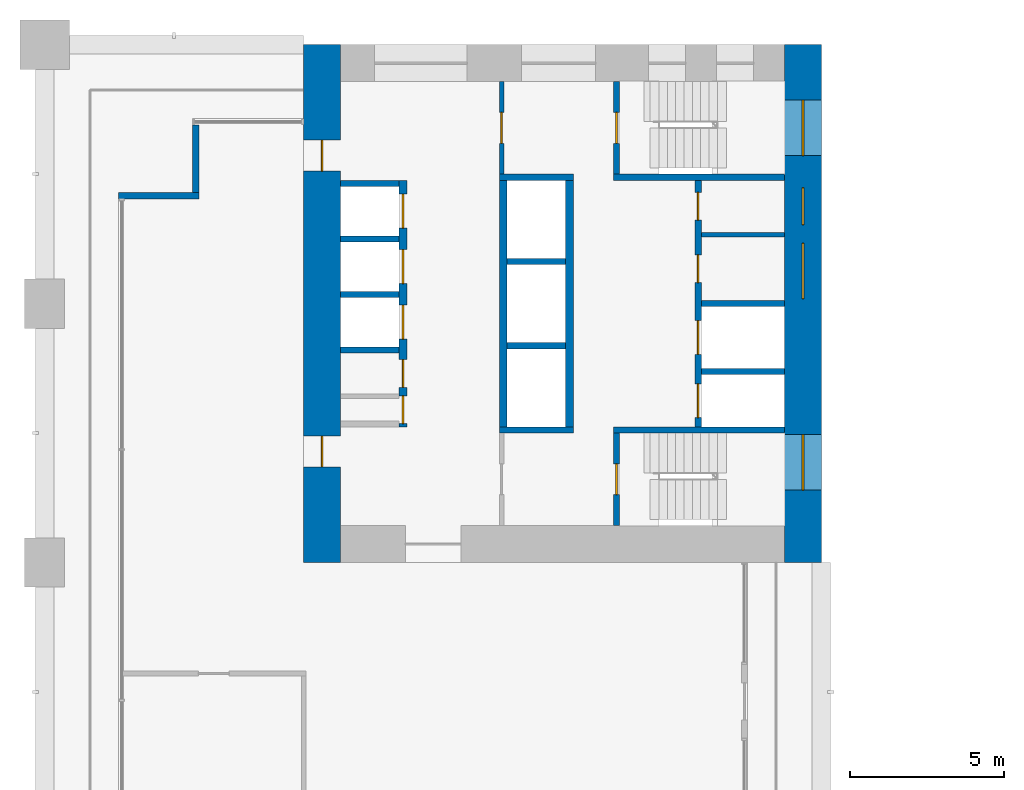
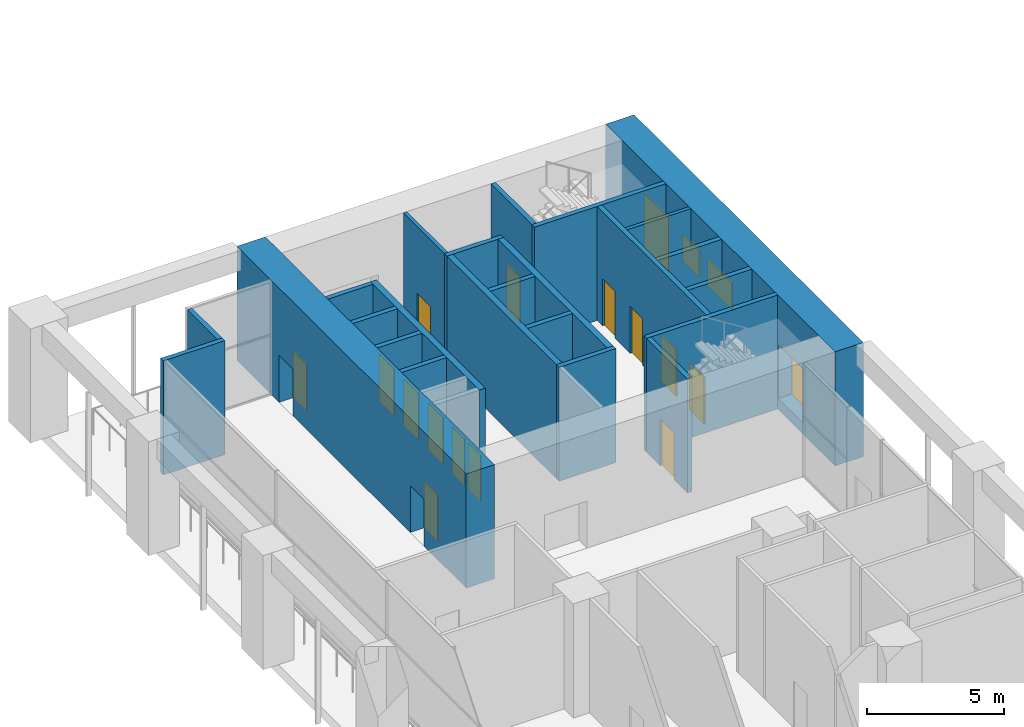
# One storey, part 18 of 33: 24 walls, 14 doors, 4 windows, 18 openings.
"""IFC4 building model written with IfcOpenShell, lengths in metres."""

from ifc_helpers import new_model, si_unit, direction, frame, frame_2d, origin, place, context, subcontext, project, spatial, rectangle, extrude, material, layer, layer_set, type_object, element, fill, save


model = new_model("IFC4")

# Units and contexts
model_context = context("Model", 3, precision=1e-05, world=origin(), true_north=direction((0.0, 1.0)))
body_context = subcontext(model_context, "Body", "Model", "MODEL_VIEW")
ifc_project = project(units=[si_unit("LENGTHUNIT", "METRE"), si_unit("AREAUNIT", "SQUARE_METRE"), si_unit("VOLUMEUNIT", "CUBIC_METRE"), si_unit("PLANEANGLEUNIT", "RADIAN"), si_unit("MASSUNIT", "GRAM", prefix="KILO")], contexts=[model_context])

# Site, building, storey
site_placement = place(None, origin())
site = spatial("IfcSite", under=ifc_project, at=site_placement, CompositionType="ELEMENT")
building_placement = place(site_placement, origin())
building = spatial("IfcBuilding", under=site, at=building_placement, Name="Vermilion Gate Residences", CompositionType="ELEMENT")
storey_placement = place(building_placement, frame((0.0, 0.0, 14.39990234375)))
storey = spatial("IfcBuildingStorey", under=building, at=storey_placement, Name="L02", CompositionType="ELEMENT", Elevation=14.39990234375)

# Wall
ifc_material_1 = material(Name="Masonry blockwork", Category="masonry")
ifc_layer_1 = layer(ifc_material_1, 0.14990234375)
ifc_layer_set_1 = layer_set([ifc_layer_1], Name="BLOCKWORK PARTITION 150 EI 120")
wall_type_1 = type_object("IfcWallType", Name="BLOCKWORK PARTITION 150 EI 120", PredefinedType="PARTITIONING", material=ifc_layer_set_1)
wall_1_placement = place(storey_placement, frame((21.300048828125, 52.637451171875, 0.0), z_axis=(0.0, 0.0, 1.0), x_axis=(1.0, 0.0, 0.0)))
element("IfcWall", 1, at=wall_1_placement, inside=storey, type_object=wall_type_1, Name="Core room partition B02-NR-P0", PredefinedType="PARTITIONING", context=body_context, shape_type="SweptSolid", body=[
    extrude(rectangle(XDim=2.699951171875, YDim=0.14990234375, at=frame_2d((1.35009765625, 0.0))), origin(), (0.0, 0.0, 1.0), 5.10009765625),
])

# Wall, opening, door
wall_2_placement = place(storey_placement, frame((14.824951171875, 57.60009765625, 0.0), z_axis=(0.0, 0.0, 1.0), x_axis=(0.0, -1.0, 0.0)))
wall_2 = element("IfcWall", 2, at=wall_2_placement, inside=storey, type_object=wall_type_1, Name="Core room partition B02-VW-S", PredefinedType="PARTITIONING", context=body_context, shape_type="SweptSolid", body=[
    extrude(rectangle(XDim=3.0, YDim=0.14990234375, at=frame_2d((1.5, 0.0))), origin(), (0.0, 0.0, 1.0), 5.10009765625),
])
opening_1_placement = place(wall_2_placement, frame((1.0, 0.0, 0.0)))
opening_1 = element("IfcOpeningElement", 3, at=opening_1_placement, cuts=wall_2, Name="Opening DK02113", PredefinedType="OPENING", context=body_context, shape_type="SweptSolid", body=[
    extrude(rectangle(XDim=1.0, YDim=2.10009765625, at=frame_2d((0.5, 1.050048828125))), frame((0.0, 0.0849609375, 0.0), z_axis=(0.0, -1.0, 0.0), x_axis=(1.0, 0.0, 0.0)), (0.0, 0.0, 1.0), 0.169921875),
])
ifc_material_2 = material(Name="Steel", Category="steel")
door_type_1 = type_object("IfcDoorType", Name="FIRE DOOR FD60 1000 X 2100", OperationType="SINGLE_SWING_LEFT", PredefinedType="DOOR", material=ifc_material_2)
door_1_placement = place(opening_1_placement, frame((1.0, 0.0, 0.0), z_axis=(0.0, 0.0, 1.0), x_axis=(-1.0, 0.0, 0.0)))
door_1 = element("IfcDoor", 4, at=door_1_placement, inside=storey, type_object=door_type_1, Name="Stair vestibule door B02", OperationType="SINGLE_SWING_RIGHT", OverallHeight=2.10009765625, OverallWidth=1.0, PredefinedType="DOOR", context=body_context, shape_type="SweptSolid", body=[
    extrude(rectangle(XDim=1.0, YDim=2.10009765625, at=frame_2d((0.5, 1.050048828125))), frame((0.0, 0.02490234375, 0.0), z_axis=(0.0, -1.0, 0.0), x_axis=(1.0, 0.0, 0.0)), (0.0, 0.0, 1.0), 0.050048828125),
])
fill(opening_1, door_1)

# Walls
ifc_material_3 = material(Name="Insulated steel stud wall with terracotta rainscreen", Category="masonry")
ifc_layer_2 = layer(ifc_material_3, 0.199951171875)
ifc_layer_set_2 = layer_set([ifc_layer_2], Name="EXTERNAL WALL 200 TERRACOTTA RAINSCREEN")
wall_type_2 = type_object("IfcWallType", Name="EXTERNAL WALL 200 TERRACOTTA RAINSCREEN", PredefinedType="SOLIDWALL", material=ifc_layer_set_2)
wall_3_placement = place(storey_placement, frame((4.89990234375, 56.199951171875, 0.0), z_axis=(0.0, 0.0, 1.0), x_axis=(0.0, -1.0, 0.0)))
element("IfcWall", 5, at=wall_3_placement, inside=storey, type_object=wall_type_2, Name="External wall", PredefinedType="SOLIDWALL", context=body_context, shape_type="SweptSolid", body=[
    extrude(rectangle(XDim=2.199951171875, YDim=0.199951171875, at=frame_2d((1.10009765625, 0.0))), origin(), (0.0, 0.0, 1.0), 5.10009765625),
])
wall_4_placement = place(storey_placement, frame((5.0, 53.89990234375, 0.0), z_axis=(0.0, 0.0, 1.0), x_axis=(-1.0, 0.0, 0.0)))
element("IfcWall", 6, at=wall_4_placement, inside=storey, type_object=wall_type_2, Name="External wall", PredefinedType="SOLIDWALL", context=body_context, shape_type="SweptSolid", body=[
    extrude(rectangle(XDim=2.60009765625, YDim=0.199951171875, at=frame_2d((1.300048828125, 0.0))), origin(), (0.0, 0.0, 1.0), 5.10009765625),
])
ifc_material_4 = material(Name="Concrete C60", Category="concrete")
ifc_layer_3 = layer(ifc_material_4, 0.199951171875)
ifc_layer_set_3 = layer_set([ifc_layer_3], Name="RC CORE INTERNAL WALL 200 C60")
wall_type_3 = type_object("IfcWallType", Name="RC CORE INTERNAL WALL 200 C60", PredefinedType="SHEAR", material=ifc_layer_set_3)
for number, where, z_axis, x_axis, name in (
    (7, (9.60009765625, 54.300048828125, 0.0), (0.0, 0.0, 1.0), (1.0, 0.0, 0.0), "Core internal wall B02-LR-D0"),
    (8, (9.60009765625, 52.5, 0.0), (0.0, 0.0, 1.0), (1.0, 0.0, 0.0), "Core internal wall B02-LR-D1"),
    (9, (9.60009765625, 50.699951171875, 0.0), (0.0, 0.0, 1.0), (1.0, 0.0, 0.0), "Core internal wall B02-LR-D2"),
    (10, (9.60009765625, 48.89990234375, 0.0), (0.0, 0.0, 1.0), (1.0, 0.0, 0.0), "Core internal wall B02-LR-D3"),
    (11, (15.0, 51.7666015625, 0.0), (0.0, 0.0, 1.0), (1.0, 0.0, 0.0), "Core internal wall B02-HR-D1"),
    (12, (15.0, 49.033447265625, 0.0), (0.0, 0.0, 1.0), (1.0, 0.0, 0.0), "Core internal wall B02-HR-D2"),
):
    element("IfcWall", number, at=place(storey_placement, frame(where, z_axis=z_axis, x_axis=x_axis)), inside=storey, type_object=wall_type_3, Name=name, PredefinedType="SHEAR", context=body_context, shape_type="SweptSolid", body=[
        extrude(rectangle(XDim=1.89990234375, YDim=0.199951171875, at=frame_2d((0.949951171875, 0.0))), origin(), (0.0, 0.0, 1.0), 5.10009765625),
    ])
for number, where, z_axis, x_axis, name in (
    (13, (21.300048828125, 50.39990234375, 0.0), (0.0, 0.0, 1.0), (1.0, 0.0, 0.0), "Core internal wall B02-FF-D0"),
    (14, (21.300048828125, 48.199951171875, 0.0), (0.0, 0.0, 1.0), (1.0, 0.0, 0.0), "Core internal wall B02-FF-D1"),
):
    element("IfcWall", number, at=place(storey_placement, frame(where, z_axis=z_axis, x_axis=x_axis)), inside=storey, type_object=wall_type_3, Name=name, PredefinedType="SHEAR", context=body_context, shape_type="SweptSolid", body=[
        extrude(rectangle(XDim=2.699951171875, YDim=0.199951171875, at=frame_2d((1.35009765625, 0.0))), origin(), (0.0, 0.0, 1.0), 5.10009765625),
    ])

# Wall, openings, doors
wall_5_placement = place(storey_placement, frame((21.199951171875, 54.39990234375, 0.0), z_axis=(0.0, 0.0, 1.0), x_axis=(0.0, -1.0, 0.0)))
wall_5 = element("IfcWall", 15, at=wall_5_placement, inside=storey, type_object=wall_type_3, Name="Core internal wall B02-FF-F", PredefinedType="SHEAR", context=body_context, shape_type="SweptSolid", body=[
    extrude(rectangle(XDim=8.0, YDim=0.199951171875, at=frame_2d((4.0, 0.0))), origin(), (0.0, 0.0, 1.0), 5.10009765625),
])
opening_2_placement = place(wall_5_placement, frame((0.393798828125, 0.0, 0.0)))
opening_2 = element("IfcOpeningElement", 16, at=opening_2_placement, cuts=wall_5, Name="Opening DK02109", PredefinedType="OPENING", context=body_context, shape_type="SweptSolid", body=[
    extrude(rectangle(XDim=0.89990234375, YDim=2.10009765625, at=frame_2d((0.449951171875, 1.050048828125))), frame((0.0, 0.10986328125, 0.0), z_axis=(0.0, -1.0, 0.0), x_axis=(1.0, 0.0, 0.0)), (0.0, 0.0, 1.0), 0.219970703125),
])
opening_3_placement = place(wall_5_placement, frame((2.418701171875, 0.0, 0.0)))
opening_3 = element("IfcOpeningElement", 17, at=opening_3_placement, cuts=wall_5, Name="Opening DK02110", PredefinedType="OPENING", context=body_context, shape_type="SweptSolid", body=[
    extrude(rectangle(XDim=0.89990234375, YDim=2.10009765625, at=frame_2d((0.449951171875, 1.050048828125))), frame((0.0, 0.10986328125, 0.0), z_axis=(0.0, -1.0, 0.0), x_axis=(1.0, 0.0, 0.0)), (0.0, 0.0, 1.0), 0.219970703125),
])
opening_4_placement = place(wall_5_placement, frame((4.550048828125, 0.0, 0.0)))
opening_4 = element("IfcOpeningElement", 18, at=opening_4_placement, cuts=wall_5, Name="Opening LD", PredefinedType="OPENING", context=body_context, shape_type="SweptSolid", body=[
    extrude(rectangle(XDim=1.10009765625, YDim=2.10009765625, at=frame_2d((0.550048828125, 1.050048828125))), frame((0.0, 0.10986328125, 0.0), z_axis=(0.0, -1.0, 0.0), x_axis=(1.0, 0.0, 0.0)), (0.0, 0.0, 1.0), 0.219970703125),
])
opening_5_placement = place(wall_5_placement, frame((6.60009765625, 0.0, 0.0)))
opening_5 = element("IfcOpeningElement", 19, at=opening_5_placement, cuts=wall_5, Name="Opening LD", PredefinedType="OPENING", context=body_context, shape_type="SweptSolid", body=[
    extrude(rectangle(XDim=1.10009765625, YDim=2.10009765625, at=frame_2d((0.550048828125, 1.050048828125))), frame((0.0, 0.10986328125, 0.0), z_axis=(0.0, -1.0, 0.0), x_axis=(1.0, 0.0, 0.0)), (0.0, 0.0, 1.0), 0.219970703125),
])
ifc_material_5 = material(Name="Stainless steel", Category="steel")
door_type_2 = type_object("IfcDoorType", Name="LIFT LANDING DOOR E60 1100 X 2100", OperationType="DOUBLE_DOOR_SLIDING", PredefinedType="DOOR", material=ifc_material_5)
door_2_placement = place(opening_4_placement, origin())
door_2 = element("IfcDoor", 20, at=door_2_placement, inside=storey, type_object=door_type_2, Name="Lift landing door LFB1", OperationType="DOUBLE_DOOR_SLIDING", OverallHeight=2.10009765625, OverallWidth=1.10009765625, PredefinedType="DOOR", context=body_context, shape_type="SweptSolid", body=[
    extrude(rectangle(XDim=1.10009765625, YDim=2.10009765625, at=frame_2d((0.550048828125, 1.050048828125))), frame((0.0, 0.02490234375, 0.0), z_axis=(0.0, -1.0, 0.0), x_axis=(1.0, 0.0, 0.0)), (0.0, 0.0, 1.0), 0.050048828125),
])
fill(opening_4, door_2)
door_3_placement = place(opening_5_placement, origin())
door_3 = element("IfcDoor", 21, at=door_3_placement, inside=storey, type_object=door_type_2, Name="Lift landing door LCB1", OperationType="DOUBLE_DOOR_SLIDING", OverallHeight=2.10009765625, OverallWidth=1.10009765625, PredefinedType="DOOR", context=body_context, shape_type="SweptSolid", body=[
    extrude(rectangle(XDim=1.10009765625, YDim=2.10009765625, at=frame_2d((0.550048828125, 1.050048828125))), frame((0.0, 0.02490234375, 0.0), z_axis=(0.0, -1.0, 0.0), x_axis=(1.0, 0.0, 0.0)), (0.0, 0.0, 1.0), 0.050048828125),
])
fill(opening_5, door_3)
ifc_material_6 = material(Name="Steel", Category="steel")
door_type_3 = type_object("IfcDoorType", Name="SERVICE ROOM DOOR FD60 900 X 2100", OperationType="SINGLE_SWING_LEFT", PredefinedType="DOOR", material=ifc_material_6)
door_4_placement = place(opening_2_placement, origin())
door_4 = element("IfcDoor", 22, at=door_4_placement, inside=storey, type_object=door_type_3, Name="Housekeeping store B02", OperationType="SINGLE_SWING_RIGHT", OverallHeight=2.10009765625, OverallWidth=0.89990234375, PredefinedType="DOOR", context=body_context, shape_type="SweptSolid", body=[
    extrude(rectangle(XDim=0.89990234375, YDim=2.10009765625, at=frame_2d((0.449951171875, 1.050048828125))), frame((0.0, 0.02490234375, 0.0), z_axis=(0.0, -1.0, 0.0), x_axis=(1.0, 0.0, 0.0)), (0.0, 0.0, 1.0), 0.050048828125),
])
fill(opening_2, door_4)
door_5_placement = place(opening_3_placement, origin())
door_5 = element("IfcDoor", 23, at=door_5_placement, inside=storey, type_object=door_type_3, Name="Mail room B02", OperationType="SINGLE_SWING_RIGHT", OverallHeight=2.10009765625, OverallWidth=0.89990234375, PredefinedType="DOOR", context=body_context, shape_type="SweptSolid", body=[
    extrude(rectangle(XDim=0.89990234375, YDim=2.10009765625, at=frame_2d((0.449951171875, 1.050048828125))), frame((0.0, 0.02490234375, 0.0), z_axis=(0.0, -1.0, 0.0), x_axis=(1.0, 0.0, 0.0)), (0.0, 0.0, 1.0), 0.050048828125),
])
fill(opening_3, door_5)

# Walls
wall_6_placement = place(storey_placement, frame((14.75, 54.5, 0.0), z_axis=(0.0, 0.0, 1.0), x_axis=(1.0, 0.0, 0.0)))
element("IfcWall", 24, at=wall_6_placement, inside=storey, type_object=wall_type_3, Name="Core internal wall B02-WDIV1", PredefinedType="SHEAR", context=body_context, shape_type="SweptSolid", body=[
    extrude(rectangle(XDim=2.39990234375, YDim=0.199951171875, at=frame_2d((1.199951171875, 0.0))), origin(), (0.0, 0.0, 1.0), 5.10009765625),
])
wall_7_placement = place(storey_placement, frame((18.449951171875, 54.5, 0.0), z_axis=(0.0, 0.0, 1.0), x_axis=(1.0, 0.0, 0.0)))
element("IfcWall", 25, at=wall_7_placement, inside=storey, type_object=wall_type_3, Name="Core internal wall B02-WDIV2", PredefinedType="SHEAR", context=body_context, shape_type="SweptSolid", body=[
    extrude(rectangle(XDim=5.550048828125, YDim=0.199951171875, at=frame_2d((2.77490234375, 0.0))), origin(), (0.0, 0.0, 1.0), 5.10009765625),
])

# Wall, opening, door
wall_8_placement = place(storey_placement, frame((18.550048828125, 57.60009765625, 0.0), z_axis=(0.0, 0.0, 1.0), x_axis=(0.0, -1.0, 0.0)))
wall_8 = element("IfcWall", 26, at=wall_8_placement, inside=storey, type_object=wall_type_3, Name="Core internal wall B02-STW-S", PredefinedType="SHEAR", context=body_context, shape_type="SweptSolid", body=[
    extrude(rectangle(XDim=3.0, YDim=0.199951171875, at=frame_2d((1.5, 0.0))), origin(), (0.0, 0.0, 1.0), 5.10009765625),
])
opening_6_placement = place(wall_8_placement, frame((1.0, 0.0, 0.0)))
opening_6 = element("IfcOpeningElement", 27, at=opening_6_placement, cuts=wall_8, Name="Opening DK02114", PredefinedType="OPENING", context=body_context, shape_type="SweptSolid", body=[
    extrude(rectangle(XDim=1.0, YDim=2.10009765625, at=frame_2d((0.5, 1.050048828125))), frame((0.0, 0.10986328125, 0.0), z_axis=(0.0, -1.0, 0.0), x_axis=(1.0, 0.0, 0.0)), (0.0, 0.0, 1.0), 0.219970703125),
])
door_6_placement = place(opening_6_placement, origin())
door_6 = element("IfcDoor", 28, at=door_6_placement, inside=storey, type_object=door_type_1, Name="Stair door B02", OperationType="SINGLE_SWING_LEFT", OverallHeight=2.10009765625, OverallWidth=1.0, PredefinedType="DOOR", context=body_context, shape_type="SweptSolid", body=[
    extrude(rectangle(XDim=1.0, YDim=2.10009765625, at=frame_2d((0.5, 1.050048828125))), frame((0.0, 0.02490234375, 0.0), z_axis=(0.0, -1.0, 0.0), x_axis=(1.0, 0.0, 0.0)), (0.0, 0.0, 1.0), 0.050048828125),
])
fill(opening_6, door_6)

# Walls
wall_9_placement = place(storey_placement, frame((14.75, 46.300048828125, 0.0), z_axis=(0.0, 0.0, 1.0), x_axis=(1.0, 0.0, 0.0)))
element("IfcWall", 29, at=wall_9_placement, inside=storey, type_object=wall_type_3, Name="Core internal wall B02-EDIV1", PredefinedType="SHEAR", context=body_context, shape_type="SweptSolid", body=[
    extrude(rectangle(XDim=2.39990234375, YDim=0.199951171875, at=frame_2d((1.199951171875, 0.0))), origin(), (0.0, 0.0, 1.0), 5.10009765625),
])
wall_10_placement = place(storey_placement, frame((18.449951171875, 46.300048828125, 0.0), z_axis=(0.0, 0.0, 1.0), x_axis=(1.0, 0.0, 0.0)))
element("IfcWall", 30, at=wall_10_placement, inside=storey, type_object=wall_type_3, Name="Core internal wall B02-EDIV2", PredefinedType="SHEAR", context=body_context, shape_type="SweptSolid", body=[
    extrude(rectangle(XDim=5.550048828125, YDim=0.199951171875, at=frame_2d((2.77490234375, 0.0))), origin(), (0.0, 0.0, 1.0), 5.10009765625),
])

# Wall, opening, door
wall_11_placement = place(storey_placement, frame((18.550048828125, 46.199951171875, 0.0), z_axis=(0.0, 0.0, 1.0), x_axis=(0.0, -1.0, 0.0)))
wall_11 = element("IfcWall", 31, at=wall_11_placement, inside=storey, type_object=wall_type_3, Name="Core internal wall B02-STE-S", PredefinedType="SHEAR", context=body_context, shape_type="SweptSolid", body=[
    extrude(rectangle(XDim=3.0, YDim=0.199951171875, at=frame_2d((1.5, 0.0))), origin(), (0.0, 0.0, 1.0), 5.10009765625),
])
opening_7_placement = place(wall_11_placement, frame((1.0, 0.0, 0.0)))
opening_7 = element("IfcOpeningElement", 32, at=opening_7_placement, cuts=wall_11, Name="Opening DK02116", PredefinedType="OPENING", context=body_context, shape_type="SweptSolid", body=[
    extrude(rectangle(XDim=1.0, YDim=2.10009765625, at=frame_2d((0.5, 1.050048828125))), frame((0.0, 0.10986328125, 0.0), z_axis=(0.0, -1.0, 0.0), x_axis=(1.0, 0.0, 0.0)), (0.0, 0.0, 1.0), 0.219970703125),
])
door_7_placement = place(opening_7_placement, origin())
door_7 = element("IfcDoor", 33, at=door_7_placement, inside=storey, type_object=door_type_1, Name="Stair door B02", OperationType="SINGLE_SWING_LEFT", OverallHeight=2.10009765625, OverallWidth=1.0, PredefinedType="DOOR", context=body_context, shape_type="SweptSolid", body=[
    extrude(rectangle(XDim=1.0, YDim=2.10009765625, at=frame_2d((0.5, 1.050048828125))), frame((0.0, 0.02490234375, 0.0), z_axis=(0.0, -1.0, 0.0), x_axis=(1.0, 0.0, 0.0)), (0.0, 0.0, 1.0), 0.050048828125),
])
fill(opening_7, door_7)

# Wall, openings, doors
ifc_material_7 = material(Name="Concrete C80", Category="concrete")
ifc_layer_4 = layer(ifc_material_7, 1.199951171875)
ifc_layer_set_4 = layer_set([ifc_layer_4], Name="RC CORE WALL 1200 C80")
wall_type_4 = type_object("IfcWallType", Name="RC CORE WALL 1200 C80", PredefinedType="SHEAR", material=ifc_layer_set_4)
wall_12_placement = place(storey_placement, frame((9.0, 58.800048828125, 0.0), z_axis=(0.0, 0.0, 1.0), x_axis=(0.0, -1.0, 0.0)))
wall_12 = element("IfcWall", 34, at=wall_12_placement, inside=storey, type_object=wall_type_4, Name="Core wall B02-OUT-B0", PredefinedType="SHEAR", context=body_context, shape_type="SweptSolid", body=[
    extrude(rectangle(XDim=16.800048828125, YDim=1.199951171875, at=frame_2d((8.39990234375, 0.0))), origin(), (0.0, 0.0, 1.0), 5.10009765625),
])
opening_8_placement = place(wall_12_placement, frame((3.10009765625, 0.0, 0.0)))
opening_8 = element("IfcOpeningElement", 35, at=opening_8_placement, cuts=wall_12, Name="Opening DK02101", PredefinedType="OPENING", context=body_context, shape_type="SweptSolid", body=[
    extrude(rectangle(XDim=1.0, YDim=2.10009765625, at=frame_2d((0.5, 1.050048828125))), frame((0.0, 0.60986328125, 0.0), z_axis=(0.0, -1.0, 0.0), x_axis=(1.0, 0.0, 0.0)), (0.0, 0.0, 1.0), 1.219970703125),
])
opening_9_placement = place(wall_12_placement, frame((12.699951171875, 0.0, 0.0)))
opening_9 = element("IfcOpeningElement", 36, at=opening_9_placement, cuts=wall_12, Name="Opening DK02102", PredefinedType="OPENING", context=body_context, shape_type="SweptSolid", body=[
    extrude(rectangle(XDim=1.0, YDim=2.10009765625, at=frame_2d((0.5, 1.050048828125))), frame((0.0, 0.60986328125, 0.0), z_axis=(0.0, -1.0, 0.0), x_axis=(1.0, 0.0, 0.0)), (0.0, 0.0, 1.0), 1.219970703125),
])
door_8_placement = place(opening_8_placement, origin())
door_8 = element("IfcDoor", 37, at=door_8_placement, inside=storey, type_object=door_type_1, Name="Core lobby side door B02", OperationType="SINGLE_SWING_RIGHT", OverallHeight=2.10009765625, OverallWidth=1.0, PredefinedType="DOOR", context=body_context, shape_type="SweptSolid", body=[
    extrude(rectangle(XDim=1.0, YDim=2.10009765625, at=frame_2d((0.5, 1.050048828125))), frame((0.0, 0.02490234375, 0.0), z_axis=(0.0, -1.0, 0.0), x_axis=(1.0, 0.0, 0.0)), (0.0, 0.0, 1.0), 0.050048828125),
])
fill(opening_8, door_8)
door_9_placement = place(opening_9_placement, origin())
door_9 = element("IfcDoor", 38, at=door_9_placement, inside=storey, type_object=door_type_1, Name="Core lobby side door B02", OperationType="SINGLE_SWING_LEFT", OverallHeight=2.10009765625, OverallWidth=1.0, PredefinedType="DOOR", context=body_context, shape_type="SweptSolid", body=[
    extrude(rectangle(XDim=1.0, YDim=2.10009765625, at=frame_2d((0.5, 1.050048828125))), frame((0.0, 0.02490234375, 0.0), z_axis=(0.0, -1.0, 0.0), x_axis=(1.0, 0.0, 0.0)), (0.0, 0.0, 1.0), 0.050048828125),
])
fill(opening_9, door_9)

# Wall, openings, windows
ifc_material_8 = material(Name="Concrete C80 red-oxide pigmented", Category="concrete")
ifc_layer_5 = layer(ifc_material_8, 1.199951171875)
ifc_layer_set_5 = layer_set([ifc_layer_5], Name="RC CORE WALL 1200 C80 RED OXIDE")
wall_type_5 = type_object("IfcWallType", Name="RC CORE WALL 1200 C80 RED OXIDE", PredefinedType="SHEAR", material=ifc_layer_set_5)
wall_13_placement = place(storey_placement, frame((24.60009765625, 58.800048828125, 0.0), z_axis=(0.0, 0.0, 1.0), x_axis=(0.0, -1.0, 0.0)))
wall_13 = element("IfcWall", 39, at=wall_13_placement, inside=storey, type_object=wall_type_5, Name="Core wall B02-OUT-B1", PredefinedType="SHEAR", context=body_context, shape_type="SweptSolid", body=[
    extrude(rectangle(XDim=16.800048828125, YDim=1.199951171875, at=frame_2d((8.39990234375, 0.0))), origin(), (0.0, 0.0, 1.0), 5.10009765625),
])
opening_10_placement = place(wall_13_placement, frame((1.800048828125, 0.0, 0.5)))
opening_10 = element("IfcOpeningElement", 40, at=opening_10_placement, cuts=wall_13, Name="Opening WKB0201", PredefinedType="OPENING", context=body_context, shape_type="SweptSolid", body=[
    extrude(rectangle(XDim=1.800048828125, YDim=2.39990234375, at=frame_2d((0.89990234375, 1.199951171875))), frame((0.0, 0.60986328125, 0.0), z_axis=(0.0, -1.0, 0.0), x_axis=(1.0, 0.0, 0.0)), (0.0, 0.0, 1.0), 1.219970703125),
])
opening_11_placement = place(wall_13_placement, frame((4.643798828125, 0.0, 1.60009765625)))
opening_11 = element("IfcOpeningElement", 41, at=opening_11_placement, cuts=wall_13, Name="Opening WKB0202", PredefinedType="OPENING", context=body_context, shape_type="SweptSolid", body=[
    extrude(rectangle(XDim=1.199951171875, YDim=1.199951171875, at=frame_2d((0.60009765625, 0.60009765625))), frame((0.0, 0.60986328125, 0.0), z_axis=(0.0, -1.0, 0.0), x_axis=(1.0, 0.0, 0.0)), (0.0, 0.0, 1.0), 1.219970703125),
])
opening_12_placement = place(wall_13_placement, frame((6.449951171875, 0.0, 1.60009765625)))
opening_12 = element("IfcOpeningElement", 42, at=opening_12_placement, cuts=wall_13, Name="Opening WKB0203", PredefinedType="OPENING", context=body_context, shape_type="SweptSolid", body=[
    extrude(rectangle(XDim=1.800048828125, YDim=1.199951171875, at=frame_2d((0.89990234375, 0.60009765625))), frame((0.0, 0.60986328125, 0.0), z_axis=(0.0, -1.0, 0.0), x_axis=(1.0, 0.0, 0.0)), (0.0, 0.0, 1.0), 1.219970703125),
])
opening_13_placement = place(wall_13_placement, frame((12.64990234375, 0.0, 0.5)))
opening_13 = element("IfcOpeningElement", 43, at=opening_13_placement, cuts=wall_13, Name="Opening WKB0204", PredefinedType="OPENING", context=body_context, shape_type="SweptSolid", body=[
    extrude(rectangle(XDim=1.800048828125, YDim=2.39990234375, at=frame_2d((0.89990234375, 1.199951171875))), frame((0.0, 0.60986328125, 0.0), z_axis=(0.0, -1.0, 0.0), x_axis=(1.0, 0.0, 0.0)), (0.0, 0.0, 1.0), 1.219970703125),
])
ifc_material_9 = material(Name="Aluminium frame with louvre blades", Category="aluminium")
window_type_1 = type_object("IfcWindowType", Name="CORE LOUVRE 1200 X 1200", PartitioningType="SINGLE_PANEL", PredefinedType="WINDOW", material=ifc_material_9)
window_1_placement = place(opening_11_placement, origin())
window_1 = element("IfcWindow", 44, at=window_1_placement, inside=storey, type_object=window_type_1, Name="Core louvre", OverallHeight=1.199951171875, OverallWidth=1.199951171875, PartitioningType="SINGLE_PANEL", PredefinedType="WINDOW", context=body_context, shape_type="SweptSolid", body=[
    extrude(rectangle(XDim=1.199951171875, YDim=1.199951171875, at=frame_2d((0.60009765625, 0.60009765625))), frame((0.0, 0.030029296875, 0.0), z_axis=(0.0, -1.0, 0.0), x_axis=(1.0, 0.0, 0.0)), (0.0, 0.0, 1.0), 0.06005859375),
])
fill(opening_11, window_1)
ifc_material_10 = material(Name="Aluminium frame with louvre blades", Category="aluminium")
window_type_2 = type_object("IfcWindowType", Name="CORE LOUVRE 1800 X 1200", PartitioningType="SINGLE_PANEL", PredefinedType="WINDOW", material=ifc_material_10)
window_2_placement = place(opening_12_placement, origin())
window_2 = element("IfcWindow", 45, at=window_2_placement, inside=storey, type_object=window_type_2, Name="Core louvre", OverallHeight=1.199951171875, OverallWidth=1.800048828125, PartitioningType="SINGLE_PANEL", PredefinedType="WINDOW", context=body_context, shape_type="SweptSolid", body=[
    extrude(rectangle(XDim=1.800048828125, YDim=1.199951171875, at=frame_2d((0.89990234375, 0.60009765625))), frame((0.0, 0.030029296875, 0.0), z_axis=(0.0, -1.0, 0.0), x_axis=(1.0, 0.0, 0.0)), (0.0, 0.0, 1.0), 0.06005859375),
])
fill(opening_12, window_2)
ifc_material_11 = material(Name="Aluminium and clear glass", Category="aluminium")
window_type_3 = type_object("IfcWindowType", Name="CORE STAIR WINDOW 1800 X 2400", PartitioningType="SINGLE_PANEL", PredefinedType="WINDOW", material=ifc_material_11)
window_3_placement = place(opening_10_placement, origin())
window_3 = element("IfcWindow", 46, at=window_3_placement, inside=storey, type_object=window_type_3, Name="Core stair window", OverallHeight=2.39990234375, OverallWidth=1.800048828125, PartitioningType="SINGLE_PANEL", PredefinedType="WINDOW", context=body_context, shape_type="SweptSolid", body=[
    extrude(rectangle(XDim=1.800048828125, YDim=2.39990234375, at=frame_2d((0.89990234375, 1.199951171875))), frame((0.0, 0.030029296875, 0.0), z_axis=(0.0, -1.0, 0.0), x_axis=(1.0, 0.0, 0.0)), (0.0, 0.0, 1.0), 0.06005859375),
])
fill(opening_10, window_3)
window_4_placement = place(opening_13_placement, origin())
window_4 = element("IfcWindow", 47, at=window_4_placement, inside=storey, type_object=window_type_3, Name="Core stair window", OverallHeight=2.39990234375, OverallWidth=1.800048828125, PartitioningType="SINGLE_PANEL", PredefinedType="WINDOW", context=body_context, shape_type="SweptSolid", body=[
    extrude(rectangle(XDim=1.800048828125, YDim=2.39990234375, at=frame_2d((0.89990234375, 1.199951171875))), frame((0.0, 0.030029296875, 0.0), z_axis=(0.0, -1.0, 0.0), x_axis=(1.0, 0.0, 0.0)), (0.0, 0.0, 1.0), 0.06005859375),
])
fill(opening_13, window_4)

# Wall, openings, doors
ifc_material_12 = material(Name="Concrete C60", Category="concrete")
ifc_layer_6 = layer(ifc_material_12, 0.25)
ifc_layer_set_6 = layer_set([ifc_layer_6], Name="RC LIFT SHAFT WALL 250 C60")
wall_type_6 = type_object("IfcWallType", Name="RC LIFT SHAFT WALL 250 C60", PredefinedType="SHEAR", material=ifc_layer_set_6)
wall_14_placement = place(storey_placement, frame((11.625, 54.39990234375, 0.0), z_axis=(0.0, 0.0, 1.0), x_axis=(0.0, -1.0, 0.0)))
wall_14 = element("IfcWall", 48, at=wall_14_placement, inside=storey, type_object=wall_type_6, Name="Lift shaft wall B02-LR-F", PredefinedType="SHEAR", context=body_context, shape_type="SweptSolid", body=[
    extrude(rectangle(XDim=8.0, YDim=0.25, at=frame_2d((4.0, 0.0))), origin(), (0.0, 0.0, 1.0), 5.10009765625),
])
opening_14_placement = place(wall_14_placement, frame((0.449951171875, 0.0, 0.0)))
opening_14 = element("IfcOpeningElement", 49, at=opening_14_placement, cuts=wall_14, Name="Opening LD", PredefinedType="OPENING", context=body_context, shape_type="SweptSolid", body=[
    extrude(rectangle(XDim=1.10009765625, YDim=2.10009765625, at=frame_2d((0.550048828125, 1.050048828125))), frame((0.0, 0.135009765625, 0.0), z_axis=(0.0, -1.0, 0.0), x_axis=(1.0, 0.0, 0.0)), (0.0, 0.0, 1.0), 0.27001953125),
])
opening_15_placement = place(wall_14_placement, frame((2.25, 0.0, 0.0)))
opening_15 = element("IfcOpeningElement", 50, at=opening_15_placement, cuts=wall_14, Name="Opening LD", PredefinedType="OPENING", context=body_context, shape_type="SweptSolid", body=[
    extrude(rectangle(XDim=1.10009765625, YDim=2.10009765625, at=frame_2d((0.550048828125, 1.050048828125))), frame((0.0, 0.135009765625, 0.0), z_axis=(0.0, -1.0, 0.0), x_axis=(1.0, 0.0, 0.0)), (0.0, 0.0, 1.0), 0.27001953125),
])
opening_16_placement = place(wall_14_placement, frame((4.050048828125, 0.0, 0.0)))
opening_16 = element("IfcOpeningElement", 51, at=opening_16_placement, cuts=wall_14, Name="Opening LD", PredefinedType="OPENING", context=body_context, shape_type="SweptSolid", body=[
    extrude(rectangle(XDim=1.10009765625, YDim=2.10009765625, at=frame_2d((0.550048828125, 1.050048828125))), frame((0.0, 0.135009765625, 0.0), z_axis=(0.0, -1.0, 0.0), x_axis=(1.0, 0.0, 0.0)), (0.0, 0.0, 1.0), 0.27001953125),
])
opening_17_placement = place(wall_14_placement, frame((5.816162109375, 0.0, 0.0)))
opening_17 = element("IfcOpeningElement", 52, at=opening_17_placement, cuts=wall_14, Name="Opening DK02107", PredefinedType="OPENING", context=body_context, shape_type="SweptSolid", body=[
    extrude(rectangle(XDim=0.89990234375, YDim=2.10009765625, at=frame_2d((0.449951171875, 1.050048828125))), frame((0.0, 0.135009765625, 0.0), z_axis=(0.0, -1.0, 0.0), x_axis=(1.0, 0.0, 0.0)), (0.0, 0.0, 1.0), 0.27001953125),
])
opening_18_placement = place(wall_14_placement, frame((6.9912109375, 0.0, 0.0)))
opening_18 = element("IfcOpeningElement", 53, at=opening_18_placement, cuts=wall_14, Name="Opening DK02108", PredefinedType="OPENING", context=body_context, shape_type="SweptSolid", body=[
    extrude(rectangle(XDim=0.89990234375, YDim=2.10009765625, at=frame_2d((0.449951171875, 1.050048828125))), frame((0.0, 0.135009765625, 0.0), z_axis=(0.0, -1.0, 0.0), x_axis=(1.0, 0.0, 0.0)), (0.0, 0.0, 1.0), 0.27001953125),
])
door_10_placement = place(opening_14_placement, origin())
door_10 = element("IfcDoor", 54, at=door_10_placement, inside=storey, type_object=door_type_2, Name="Lift landing door LRB1", OperationType="DOUBLE_DOOR_SLIDING", OverallHeight=2.10009765625, OverallWidth=1.10009765625, PredefinedType="DOOR", context=body_context, shape_type="SweptSolid", body=[
    extrude(rectangle(XDim=1.10009765625, YDim=2.10009765625, at=frame_2d((0.550048828125, 1.050048828125))), frame((0.0, 0.02490234375, 0.0), z_axis=(0.0, -1.0, 0.0), x_axis=(1.0, 0.0, 0.0)), (0.0, 0.0, 1.0), 0.050048828125),
])
fill(opening_14, door_10)
door_11_placement = place(opening_15_placement, origin())
door_11 = element("IfcDoor", 55, at=door_11_placement, inside=storey, type_object=door_type_2, Name="Lift landing door LRB2", OperationType="DOUBLE_DOOR_SLIDING", OverallHeight=2.10009765625, OverallWidth=1.10009765625, PredefinedType="DOOR", context=body_context, shape_type="SweptSolid", body=[
    extrude(rectangle(XDim=1.10009765625, YDim=2.10009765625, at=frame_2d((0.550048828125, 1.050048828125))), frame((0.0, 0.02490234375, 0.0), z_axis=(0.0, -1.0, 0.0), x_axis=(1.0, 0.0, 0.0)), (0.0, 0.0, 1.0), 0.050048828125),
])
fill(opening_15, door_11)
door_12_placement = place(opening_16_placement, origin())
door_12 = element("IfcDoor", 56, at=door_12_placement, inside=storey, type_object=door_type_2, Name="Lift landing door LRB3", OperationType="DOUBLE_DOOR_SLIDING", OverallHeight=2.10009765625, OverallWidth=1.10009765625, PredefinedType="DOOR", context=body_context, shape_type="SweptSolid", body=[
    extrude(rectangle(XDim=1.10009765625, YDim=2.10009765625, at=frame_2d((0.550048828125, 1.050048828125))), frame((0.0, 0.02490234375, 0.0), z_axis=(0.0, -1.0, 0.0), x_axis=(1.0, 0.0, 0.0)), (0.0, 0.0, 1.0), 0.050048828125),
])
fill(opening_16, door_12)
door_13_placement = place(opening_17_placement, frame((0.89990234375, 0.0, 0.0), z_axis=(0.0, 0.0, 1.0), x_axis=(-1.0, 0.0, 0.0)))
door_13 = element("IfcDoor", 57, at=door_13_placement, inside=storey, type_object=door_type_3, Name="Housekeeping store B02", OperationType="SINGLE_SWING_LEFT", OverallHeight=2.10009765625, OverallWidth=0.89990234375, PredefinedType="DOOR", context=body_context, shape_type="SweptSolid", body=[
    extrude(rectangle(XDim=0.89990234375, YDim=2.10009765625, at=frame_2d((0.449951171875, 1.050048828125))), frame((0.0, 0.02490234375, 0.0), z_axis=(0.0, -1.0, 0.0), x_axis=(1.0, 0.0, 0.0)), (0.0, 0.0, 1.0), 0.050048828125),
])
fill(opening_17, door_13)
door_14_placement = place(opening_18_placement, origin())
door_14 = element("IfcDoor", 58, at=door_14_placement, inside=storey, type_object=door_type_3, Name="Fire equipment store B02", OperationType="SINGLE_SWING_LEFT", OverallHeight=2.10009765625, OverallWidth=0.89990234375, PredefinedType="DOOR", context=body_context, shape_type="SweptSolid", body=[
    extrude(rectangle(XDim=0.89990234375, YDim=2.10009765625, at=frame_2d((0.449951171875, 1.050048828125))), frame((0.0, 0.02490234375, 0.0), z_axis=(0.0, -1.0, 0.0), x_axis=(1.0, 0.0, 0.0)), (0.0, 0.0, 1.0), 0.050048828125),
])
fill(opening_18, door_14)

# Walls
for number, where, z_axis, x_axis, name in (
    (59, (14.875, 54.39990234375, 0.0), (0.0, 0.0, 1.0), (0.0, -1.0, 0.0), "Lift shaft wall B02-HR-F"),
    (60, (17.02490234375, 54.39990234375, 0.0), (0.0, 0.0, 1.0), (0.0, -1.0, 0.0), "Lift shaft wall B02-HR-B"),
):
    element("IfcWall", number, at=place(storey_placement, frame(where, z_axis=z_axis, x_axis=x_axis)), inside=storey, type_object=wall_type_6, Name=name, PredefinedType="SHEAR", context=body_context, shape_type="SweptSolid", body=[
        extrude(rectangle(XDim=8.0, YDim=0.25, at=frame_2d((4.0, 0.0))), origin(), (0.0, 0.0, 1.0), 5.10009765625),
    ])

save(model, "model.ifc")
